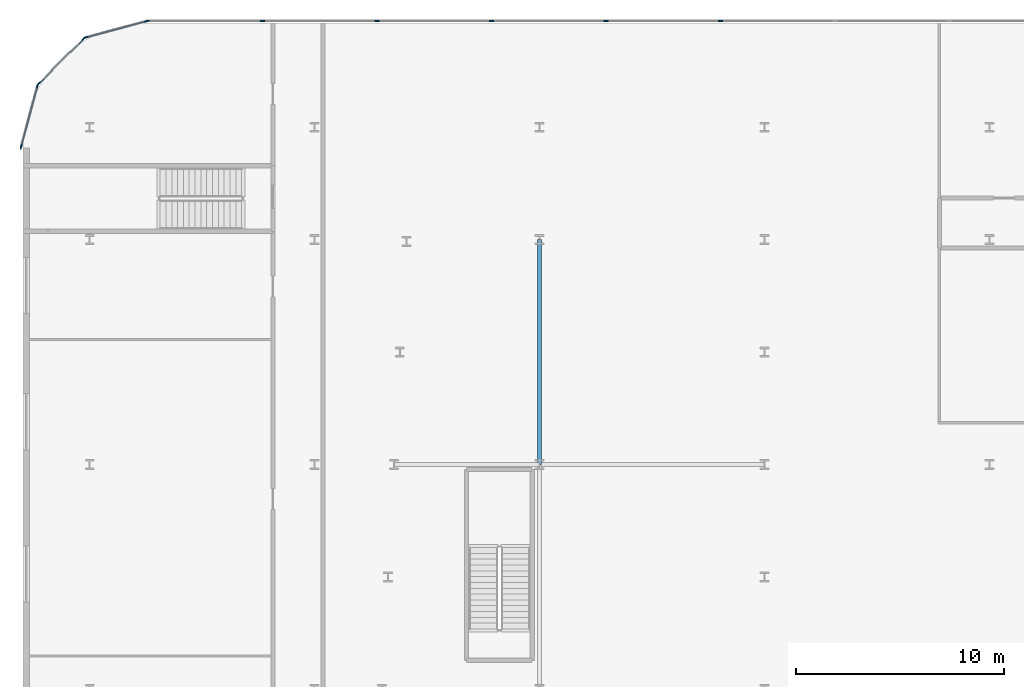
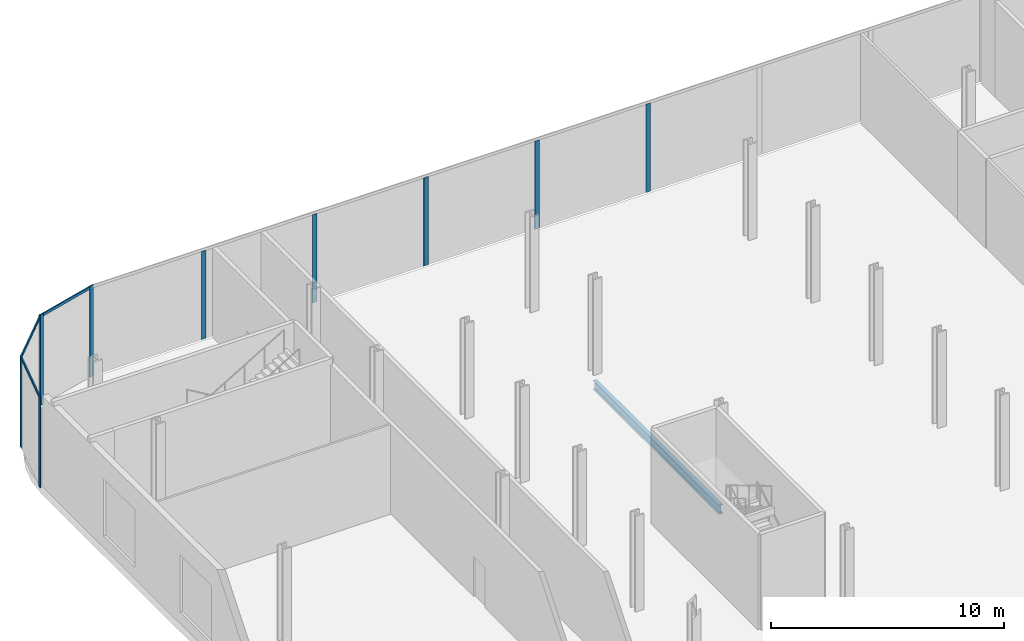
# One storey, part 15 of 47: 14 members, 1 beam, 4 elements without a shape of their own.
"""IFC4 building model written with IfcOpenShell, lengths in metres."""

from ifc_helpers import new_model, si_unit, direction, frame, origin, origin_2d, place, context, subcontext, project, spatial, rectangle, i_section, extrude, material, layer, layer_set, material_profile, profile_set, type_object, element, aggregate, save


model = new_model("IFC4")

# Units and contexts
model_context = context("Model", 3, precision=1e-05, world=origin(), true_north=direction((0.0, 1.0)))
body_context = subcontext(model_context, "Body", "Model", "MODEL_VIEW")
ifc_project = project(units=[si_unit("LENGTHUNIT", "METRE"), si_unit("AREAUNIT", "SQUARE_METRE"), si_unit("VOLUMEUNIT", "CUBIC_METRE"), si_unit("PLANEANGLEUNIT", "RADIAN"), si_unit("MASSUNIT", "GRAM", prefix="KILO")], contexts=[model_context])

# Site, building, storey
site_placement = place(None, origin())
site = spatial("IfcSite", under=ifc_project, at=site_placement, CompositionType="ELEMENT")
building_placement = place(site_placement, origin())
building = spatial("IfcBuilding", under=site, at=building_placement, Name="Kheshtan School and Residences Tower", CompositionType="ELEMENT")
storey_placement = place(building_placement, frame((0.0, 0.0, 7.5)))
storey = spatial("IfcBuildingStorey", under=building, at=storey_placement, Name="L01", CompositionType="ELEMENT", Elevation=7.5)

# Beam
ifc_material_1 = material(Name="Steel ASTM A992 Grade 50", Category="steel")
ifc_material_profile_1 = material_profile(ifc_material_1, i_section(OverallWidth=0.194091796875, OverallDepth=0.468994140625, WebThickness=0.0126953125, FlangeThickness=0.0205078125, FilletRadius=0.01416015625, at=origin_2d()), Name="W460x106")
ifc_profile_set_1 = profile_set([ifc_material_profile_1], Name="Steel ASTM A992 Grade 50")
beam_type = type_object("IfcBeamType", Name="Beam PB2 W460x106 ASTM A992 Grade 50", PredefinedType="BEAM", material=ifc_profile_set_1)
beam_placement = place(storey_placement, frame((36.800048828125, 88.800048828125, -0.654541015625), z_axis=(0.0, 1.0, 0.0), x_axis=(-1.0, 0.0, 0.0)))
element("IfcBeam", 1, at=beam_placement, inside=storey, type_object=beam_type, Name="Podium floor beam PB2", PredefinedType="BEAM", context=body_context, shape_type="SweptSolid", body=[
    extrude(i_section(OverallWidth=0.194091796875, OverallDepth=0.468994140625, WebThickness=0.0126953125, FlangeThickness=0.0205078125, FilletRadius=0.01416015625, at=origin_2d()), origin(), (0.0, 0.0, 1.0), 10.800048828125),
])

# Curtain wall, members
ifc_material_2 = material(Name="Clear low-e glass in thermally broken aluminium frame", Category="aluminium")
ifc_layer = layer(ifc_material_2, 0.22509765625)
ifc_layer_set = layer_set([ifc_layer], Name="Curtain wall CW-P")
curtain_wall_type = type_object("IfcCurtainWallType", Name="Curtain wall CW-P", PredefinedType="NOTDEFINED", material=ifc_layer_set)
curtain_wall_1_placement = place(storey_placement, origin())
curtain_wall_1 = element("IfcCurtainWall", 2, at=curtain_wall_1_placement, inside=storey, type_object=curtain_wall_type, Name="Curtain wall CWP1", PredefinedType="NOTDEFINED")
ifc_material_3 = material(Name="Thermally broken aluminium, dark bronze anodised", Category="aluminium")
ifc_material_profile_2 = material_profile(ifc_material_3, rectangle(XDim=0.06005859375, YDim=0.22509765625, at=origin_2d()), Name="CW-P mullion 60x225")
ifc_profile_set_2 = profile_set([ifc_material_profile_2], Name="Thermally broken aluminium, dark bronze anodised")
member_type_1 = type_object("IfcMemberType", Name="CW-P mullion 60x225", PredefinedType="MULLION", material=ifc_profile_set_2)
member_1_placement = place(storey_placement, frame((11.9111328125, 104.054931640625, 0.0), z_axis=(0.0, 0.0, 1.0), x_axis=(-0.965913556273, 0.258864833085, 0.0)))
member_1 = element("IfcMember", 3, at=member_1_placement, type_object=member_type_1, Name="CWP1 mullion 1", PredefinedType="MULLION", context=body_context, shape_type="SweptSolid", body=[
    extrude(rectangle(XDim=0.06005859375, YDim=0.22509765625, at=origin_2d()), origin(), (0.0, 0.0, 1.0), 4.75),
])
member_2_placement = place(storey_placement, frame((12.69970703125, 106.996826171875, 0.0), z_axis=(0.0, 0.0, 1.0), x_axis=(-0.965913556273, 0.258864833085, 0.0)))
member_2 = element("IfcMember", 4, at=member_2_placement, type_object=member_type_1, Name="CWP1 mullion 2", PredefinedType="MULLION", context=body_context, shape_type="SweptSolid", body=[
    extrude(rectangle(XDim=0.06005859375, YDim=0.22509765625, at=origin_2d()), origin(), (0.0, 0.0, 1.0), 4.75),
])

curtain_wall_2_placement = place(storey_placement, origin())
curtain_wall_2 = element("IfcCurtainWall", 5, at=curtain_wall_2_placement, inside=storey, type_object=curtain_wall_type, Name="Curtain wall CWP2", PredefinedType="NOTDEFINED")
member_3_placement = place(storey_placement, frame((12.75439453125, 107.092041015625, 0.0), z_axis=(0.0, 0.0, 1.0), x_axis=(-0.707106781187, 0.707106781187, 0.0)))
member_3 = element("IfcMember", 6, at=member_3_placement, type_object=member_type_1, Name="CWP2 mullion 1", PredefinedType="MULLION", context=body_context, shape_type="SweptSolid", body=[
    extrude(rectangle(XDim=0.06005859375, YDim=0.22509765625, at=origin_2d()), origin(), (0.0, 0.0, 1.0), 4.75),
])
member_4_placement = place(storey_placement, frame((14.907958984375, 109.24560546875, 0.0), z_axis=(0.0, 0.0, 1.0), x_axis=(-0.707106781187, 0.707106781187, 0.0)))
member_4 = element("IfcMember", 7, at=member_4_placement, type_object=member_type_1, Name="CWP2 mullion 2", PredefinedType="MULLION", context=body_context, shape_type="SweptSolid", body=[
    extrude(rectangle(XDim=0.06005859375, YDim=0.22509765625, at=origin_2d()), origin(), (0.0, 0.0, 1.0), 4.75),
])

curtain_wall_3_placement = place(storey_placement, origin())
curtain_wall_3 = element("IfcCurtainWall", 8, at=curtain_wall_3_placement, inside=storey, type_object=curtain_wall_type, Name="Curtain wall CWP3", PredefinedType="NOTDEFINED")
member_5_placement = place(storey_placement, frame((15.003173828125, 109.30029296875, 0.0), z_axis=(0.0, 0.0, 1.0), x_axis=(-0.258864833085, 0.965913556273, 0.0)))
member_5 = element("IfcMember", 9, at=member_5_placement, type_object=member_type_1, Name="CWP3 mullion 1", PredefinedType="MULLION", context=body_context, shape_type="SweptSolid", body=[
    extrude(rectangle(XDim=0.06005859375, YDim=0.22509765625, at=origin_2d()), origin(), (0.0, 0.0, 1.0), 4.75),
])
member_6_placement = place(storey_placement, frame((17.945068359375, 110.0888671875, 0.0), z_axis=(0.0, 0.0, 1.0), x_axis=(-0.258864833085, 0.965913556273, 0.0)))
member_6 = element("IfcMember", 10, at=member_6_placement, type_object=member_type_1, Name="CWP3 mullion 2", PredefinedType="MULLION", context=body_context, shape_type="SweptSolid", body=[
    extrude(rectangle(XDim=0.06005859375, YDim=0.22509765625, at=origin_2d()), origin(), (0.0, 0.0, 1.0), 4.75),
])

curtain_wall_4_placement = place(storey_placement, origin())
curtain_wall_4 = element("IfcCurtainWall", 11, at=curtain_wall_4_placement, inside=storey, type_object=curtain_wall_type, Name="Curtain wall CWP4", PredefinedType="NOTDEFINED")
member_7_placement = place(storey_placement, frame((23.498291015625, 110.10009765625, 0.0), z_axis=(0.0, 0.0, 1.0), x_axis=(0.0, 1.0, 0.0)))
member_7 = element("IfcMember", 12, at=member_7_placement, type_object=member_type_1, Name="CWP4 mullion 2", PredefinedType="MULLION", context=body_context, shape_type="SweptSolid", body=[
    extrude(rectangle(XDim=0.06005859375, YDim=0.22509765625, at=origin_2d()), origin(), (0.0, 0.0, 1.0), 4.610107421875),
])
member_8_placement = place(storey_placement, frame((28.996337890625, 110.10009765625, 0.0), z_axis=(0.0, 0.0, 1.0), x_axis=(0.0, 1.0, 0.0)))
member_8 = element("IfcMember", 13, at=member_8_placement, type_object=member_type_1, Name="CWP4 mullion 3", PredefinedType="MULLION", context=body_context, shape_type="SweptSolid", body=[
    extrude(rectangle(XDim=0.06005859375, YDim=0.22509765625, at=origin_2d()), origin(), (0.0, 0.0, 1.0), 4.610107421875),
])
member_9_placement = place(storey_placement, frame((34.49462890625, 110.10009765625, 0.0), z_axis=(0.0, 0.0, 1.0), x_axis=(0.0, 1.0, 0.0)))
member_9 = element("IfcMember", 14, at=member_9_placement, type_object=member_type_1, Name="CWP4 mullion 4", PredefinedType="MULLION", context=body_context, shape_type="SweptSolid", body=[
    extrude(rectangle(XDim=0.06005859375, YDim=0.22509765625, at=origin_2d()), origin(), (0.0, 0.0, 1.0), 4.610107421875),
])
member_10_placement = place(storey_placement, frame((39.99267578125, 110.10009765625, 0.0), z_axis=(0.0, 0.0, 1.0), x_axis=(0.0, 1.0, 0.0)))
member_10 = element("IfcMember", 15, at=member_10_placement, type_object=member_type_1, Name="CWP4 mullion 5", PredefinedType="MULLION", context=body_context, shape_type="SweptSolid", body=[
    extrude(rectangle(XDim=0.06005859375, YDim=0.22509765625, at=origin_2d()), origin(), (0.0, 0.0, 1.0), 4.610107421875),
])
member_11_placement = place(storey_placement, frame((45.490966796875, 110.10009765625, 0.0), z_axis=(0.0, 0.0, 1.0), x_axis=(0.0, 1.0, 0.0)))
member_11 = element("IfcMember", 16, at=member_11_placement, type_object=member_type_1, Name="CWP4 mullion 6", PredefinedType="MULLION", context=body_context, shape_type="SweptSolid", body=[
    extrude(rectangle(XDim=0.06005859375, YDim=0.22509765625, at=origin_2d()), origin(), (0.0, 0.0, 1.0), 4.610107421875),
])
aggregate(curtain_wall_4, [member_7, member_8, member_9, member_10, member_11])

# Member
ifc_material_profile_3 = material_profile(ifc_material_3, rectangle(XDim=0.06005859375, YDim=0.139892578125, at=origin_2d()), Name="CW-P transom 60x140")
ifc_profile_set_3 = profile_set([ifc_material_profile_3], Name="Thermally broken aluminium, dark bronze anodised")
member_type_2 = type_object("IfcMemberType", Name="CW-P transom 60x140", PredefinedType="USERDEFINED", material=ifc_profile_set_3)
member_12_placement = place(storey_placement, frame((11.9189453125, 104.083740234375, 4.679931640625), z_axis=(0.258853238275, 0.965916663607, 0.0), x_axis=(-0.965916663607, 0.258853238275, 0.0)))
member_12 = element("IfcMember", 17, at=member_12_placement, type_object=member_type_2, Name="CWP1 transom 1", ObjectType="TRANSOM", PredefinedType="USERDEFINED", context=body_context, shape_type="SweptSolid", body=[
    extrude(rectangle(XDim=0.06005859375, YDim=0.139892578125, at=origin_2d()), origin(), (0.0, 0.0, 1.0), 2.986083984375),
])

aggregate(curtain_wall_1, [member_1, member_2, member_12])

member_13_placement = place(storey_placement, frame((12.775634765625, 107.113037109375, 4.679931640625), z_axis=(0.707106781187, 0.707106781187, 0.0), x_axis=(-0.707106781187, 0.707106781187, 0.0)))
member_13 = element("IfcMember", 18, at=member_13_placement, type_object=member_type_2, Name="CWP2 transom 1", ObjectType="TRANSOM", PredefinedType="USERDEFINED", context=body_context, shape_type="SweptSolid", body=[
    extrude(rectangle(XDim=0.06005859375, YDim=0.139892578125, at=origin_2d()), origin(), (0.0, 0.0, 1.0), 2.98583984375),
])

aggregate(curtain_wall_2, [member_3, member_4, member_13])

member_14_placement = place(storey_placement, frame((15.031982421875, 109.30810546875, 4.679931640625), z_axis=(0.965916663607, 0.258853238275, 0.0), x_axis=(-0.258853238275, 0.965916663607, 0.0)))
member_14 = element("IfcMember", 19, at=member_14_placement, type_object=member_type_2, Name="CWP3 transom 1", ObjectType="TRANSOM", PredefinedType="USERDEFINED", context=body_context, shape_type="SweptSolid", body=[
    extrude(rectangle(XDim=0.06005859375, YDim=0.139892578125, at=origin_2d()), origin(), (0.0, 0.0, 1.0), 2.986083984375),
])

aggregate(curtain_wall_3, [member_5, member_6, member_14])

save(model, "model.ifc")
